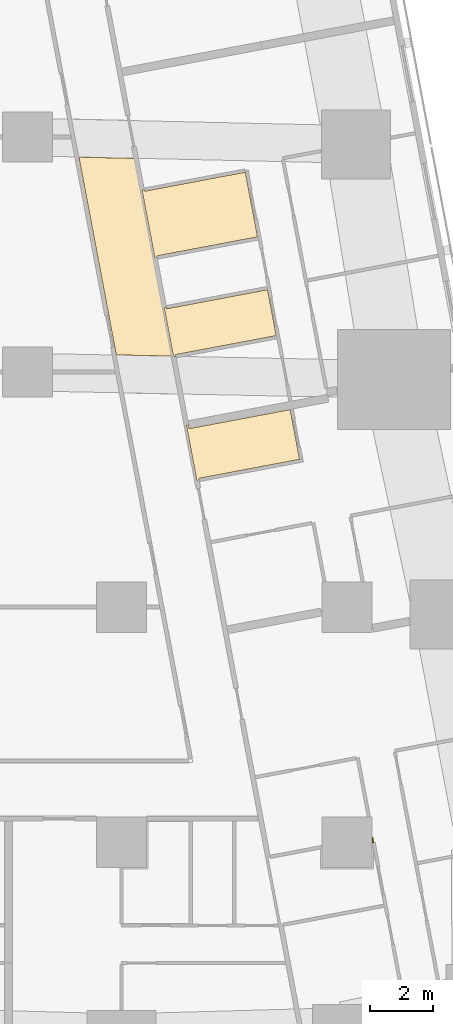
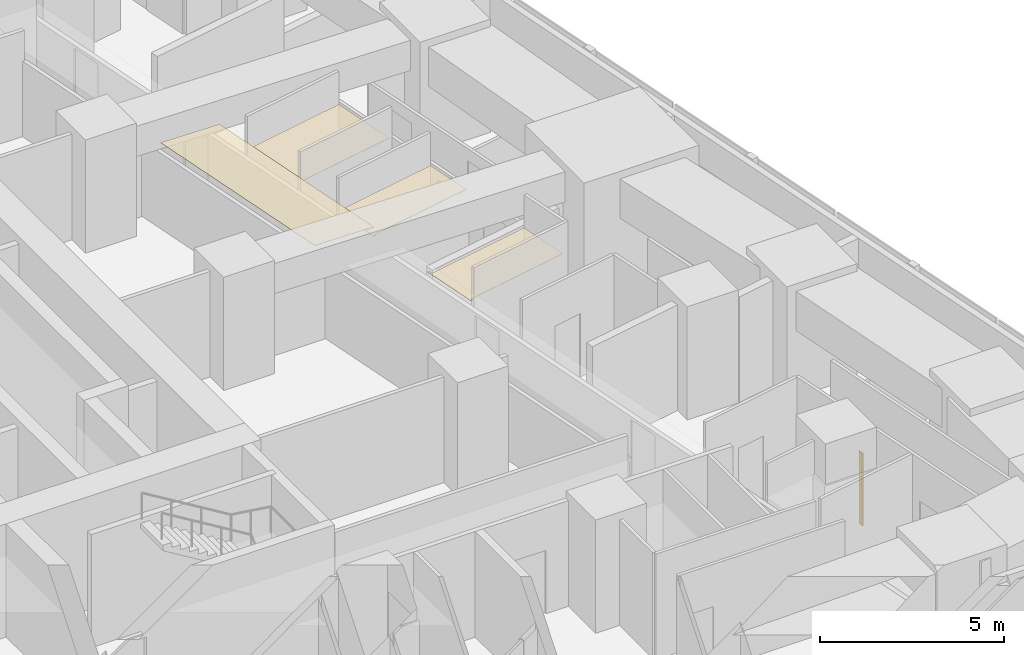
# One storey, part 14 of 15: 5 coverings.
"""IFC4 building model written with IfcOpenShell, lengths in metres."""

import ifcopenshell
import ifcopenshell.guid

model = None  # the IFC model being written
_history = None  # IfcOwnerHistory: only IFC2X3 demands one
_inside = {}  # id of a spatial element -> (the spatial element, [elements in it])
_under = {}  # id of a project, library or spatial element -> (it, [spatial elements below it])
_declared = {}  # id of a project -> (the project, [libraries it declares])
_typed = {}  # id of a type object -> (the type object, [elements of that type])
_made_of = {}  # id of a material, layer set ... -> (it, [elements and type objects made of it])


def new_model(schema):
    """Start an empty IFC model of exactly this schema.

    Asked for "IFC4X3", IfcOpenShell would pick the latest addendum, in which some entities
    have other attributes; the version numbers below select the first issue.
    IFC2X3 requires an IfcOwnerHistory on every rooted entity: one is made here for all.
    """
    global model, _history
    if schema == "IFC4X3":
        model = ifcopenshell.file(schema_version=(4, 3, 0, 0))
    else:
        model = ifcopenshell.file(schema=schema)
    _inside.clear()
    _under.clear()
    _declared.clear()
    _typed.clear()
    _made_of.clear()
    _history = None
    if model.schema == "IFC2X3":
        org = make("IfcOrganization", Name="unknown")
        user = make(
            "IfcPersonAndOrganization",
            ThePerson=make("IfcPerson", FamilyName="unknown"),
            TheOrganization=org,
        )
        app = make(
            "IfcApplication",
            ApplicationDeveloper=org,
            Version="unknown",
            ApplicationFullName="unknown",
            ApplicationIdentifier="unknown",
        )
        _history = make(
            "IfcOwnerHistory",
            OwningUser=user,
            OwningApplication=app,
            ChangeAction="ADDED",
            CreationDate=0,
        )
    return model


def make(cls, **values):
    """One entity of the class cls with the attributes given. An attribute that is None is left unset."""
    return model.create_entity(
        cls, **{name: value for name, value in values.items() if value is not None}
    )


def rooted(cls, **values):
    """An entity with a GlobalId (a new one), such as an element, a storey or a relation."""
    return make(cls, GlobalId=ifcopenshell.guid.new(), OwnerHistory=_history, **values)


def si_unit(unit_type, name, prefix=None):
    """IfcSIUnit, for example si_unit("LENGTHUNIT", "METRE", prefix="MILLI")."""
    return make("IfcSIUnit", UnitType=unit_type, Prefix=prefix, Name=name)


def assignment(units):
    """IfcUnitAssignment: the units of a project."""
    return None if units is None else make("IfcUnitAssignment", Units=units)


def point(xyz):
    """IfcCartesianPoint."""
    return None if xyz is None else make("IfcCartesianPoint", Coordinates=xyz)


def direction(xyz):
    """IfcDirection."""
    return None if xyz is None else make("IfcDirection", DirectionRatios=xyz)


def frame(location, z_axis=None, x_axis=None):
    """IfcAxis2Placement3D, a coordinate frame: its origin and axes. An axis left out is left unset."""
    return make(
        "IfcAxis2Placement3D",
        Location=point(location),
        Axis=direction(z_axis),
        RefDirection=direction(x_axis),
    )


def origin():
    """The frame at (0, 0, 0) with its axes left unset."""
    return frame((0.0, 0.0, 0.0))


def place(relative_to, where):
    """IfcLocalPlacement: puts the frame where relative to a parent placement (None: the world)."""
    return make(
        "IfcLocalPlacement", PlacementRelTo=relative_to, RelativePlacement=where
    )


def context(
    kind, dimensions, precision=None, world=None, true_north=None, identifier=None
):
    """IfcGeometricRepresentationContext, for example the 3D "Model" context."""
    return make(
        "IfcGeometricRepresentationContext",
        ContextIdentifier=identifier,
        ContextType=kind,
        CoordinateSpaceDimension=dimensions,
        Precision=precision,
        WorldCoordinateSystem=world,
        TrueNorth=true_north,
    )


def subcontext(parent, identifier, kind, view, scale=None):
    """IfcGeometricRepresentationSubContext, for example "Body" below "Model"."""
    return make(
        "IfcGeometricRepresentationSubContext",
        ContextIdentifier=identifier,
        ContextType=kind,
        ParentContext=parent,
        TargetScale=scale,
        TargetView=view,
    )


def project(units=None, contexts=None):
    """IfcProject with its units and contexts."""
    return rooted(
        "IfcProject",
        Name="project",
        RepresentationContexts=contexts,
        UnitsInContext=assignment(units),
    )


def spatial(cls, under=None, at=None, **own):
    """A site, building, storey or space (cls), placed at a placement, below another one or the project."""
    s = rooted(cls, ObjectPlacement=at, **own)
    if under is not None:
        _under.setdefault(under.id(), (under, []))[1].append(s)
    return s


def polyline(points):
    """IfcPolyline through the points."""
    return make("IfcPolyline", Points=[point(p) for p in points])


def outline(outer, holes=None, kind="AREA"):
    """IfcArbitraryClosedProfileDef: a profile drawn as a closed curve; with holes, ...WithVoids."""
    if holes is None:
        return make("IfcArbitraryClosedProfileDef", ProfileType=kind, OuterCurve=outer)
    return make(
        "IfcArbitraryProfileDefWithVoids",
        ProfileType=kind,
        OuterCurve=outer,
        InnerCurves=holes,
    )


def extrude(swept, where, along, depth):
    """IfcExtrudedAreaSolid: the profile swept, set in the frame where, extruded along a direction by depth."""
    return make(
        "IfcExtrudedAreaSolid",
        SweptArea=swept,
        Position=where,
        ExtrudedDirection=direction(along),
        Depth=depth,
    )


def shape(context_of_items, identifier, shape_type, items):
    """IfcShapeRepresentation: the items that make up one representation, for example the "Body"."""
    return make(
        "IfcShapeRepresentation",
        ContextOfItems=context_of_items,
        RepresentationIdentifier=identifier,
        RepresentationType=shape_type,
        Items=items,
    )


def material(Name=None, Category=None):
    """IfcMaterial."""
    return make("IfcMaterial", Name=Name, Category=Category)


def layer(
    of_material, thickness, ventilated=None, Name=None, Category=None, Priority=None
):
    """IfcMaterialLayer: one layer of a wall or slab, of a material (None: an air gap)."""
    return make(
        "IfcMaterialLayer",
        Material=of_material,
        LayerThickness=thickness,
        IsVentilated=ventilated,
        Name=Name,
        Category=Category,
        Priority=Priority,
    )


def layer_set(layers, Name=None):
    """IfcMaterialLayerSet."""
    return make("IfcMaterialLayerSet", MaterialLayers=layers, LayerSetName=Name)


def made_of(thing, what):
    """Note that an element or type object is made of a material, layer set ...; save() writes the relation."""
    if what is not None:
        _made_of.setdefault(what.id(), (what, []))[1].append(thing)
    return thing


def type_object(cls, material=None, **own):
    """A type object (cls), such as IfcWallType, which elements share."""
    return made_of(rooted(cls, **own), material)


def element(
    cls,
    number,
    at=None,
    inside=None,
    cuts=None,
    type_object=None,
    material=None,
    context=None,
    identifier="Body",
    shape_type=None,
    held_by="IfcProductDefinitionShape",
    body=None,
    shapes=None,
    **own,
):
    """One element of the class cls, such as IfcWall. Its Tag is "e" and its number.

    at: its placement. inside: the storey or other place that contains it. cuts: it is an
    opening in that element (IfcRelVoidsElement). A single representation is given by context,
    identifier, shape_type and body (its items); several are given by shapes. held_by: the class
    of the entity that holds the representations. save() writes the other relations.
    """
    e = rooted(cls, Tag="e%d" % number, ObjectPlacement=at, **own)
    if body is not None:
        shapes = [shape(context, identifier, shape_type, body)]
    if shapes is not None:
        e.Representation = make(held_by, Representations=shapes)
    if inside is not None:
        _inside.setdefault(inside.id(), (inside, []))[1].append(e)
    if cuts is not None:
        rooted(
            "IfcRelVoidsElement", RelatingBuildingElement=cuts, RelatedOpeningElement=e
        )
    if type_object is not None:
        _typed.setdefault(type_object.id(), (type_object, []))[1].append(e)
    return made_of(e, material)


def aggregate(whole, parts):
    """IfcRelAggregates: a whole, such as a stair, and the parts it consists of."""
    return rooted("IfcRelAggregates", RelatingObject=whole, RelatedObjects=parts)


def save(model, path):
    """Write the relations noted so far, then the file.

    IfcRelAggregates (storeys below a building ...), IfcRelContainedInSpatialStructure (elements
    in a storey), IfcRelDefinesByType, IfcRelAssociatesMaterial and IfcRelDeclares: one each for
    every whole, place, type object, material and project.
    """
    for whole, parts in _under.values():
        aggregate(whole, parts)
    for where, things in _inside.values():
        rooted(
            "IfcRelContainedInSpatialStructure",
            RelatedElements=things,
            RelatingStructure=where,
        )
    for kind, things in _typed.values():
        rooted("IfcRelDefinesByType", RelatedObjects=things, RelatingType=kind)
    for what, things in _made_of.values():
        rooted("IfcRelAssociatesMaterial", RelatedObjects=things, RelatingMaterial=what)
    for by, libraries in _declared.values():
        rooted("IfcRelDeclares", RelatingContext=by, RelatedDefinitions=libraries)
    model.write(path)


model = new_model("IFC4")

# Units and contexts
model_context = context("Model", 3, precision=1e-05, world=origin(), true_north=direction((0.0, 1.0)))
body_context = subcontext(model_context, "Body", "Model", "MODEL_VIEW")
ifc_project = project(units=[si_unit("LENGTHUNIT", "METRE"), si_unit("AREAUNIT", "SQUARE_METRE"), si_unit("VOLUMEUNIT", "CUBIC_METRE"), si_unit("PLANEANGLEUNIT", "RADIAN"), si_unit("MASSUNIT", "GRAM", prefix="KILO")], contexts=[model_context])

# Site, building, storey
site_placement = place(None, origin())
site = spatial("IfcSite", under=ifc_project, at=site_placement, CompositionType="ELEMENT")
building_placement = place(site_placement, origin())
building = spatial("IfcBuilding", under=site, at=building_placement, Name="Sheger Commons Tower", CompositionType="ELEMENT")
storey_placement = place(building_placement, frame((0.0, 0.0, 104.14990234375)))
storey = spatial("IfcBuildingStorey", under=building, at=storey_placement, Name="L26", CompositionType="ELEMENT", Elevation=104.14990234375)

# Coverings
ifc_material_1 = material(Name="Moisture-resistant gypsum plasterboard 15 mm on a suspended galvanised steel grid", Category="steel")
ifc_layer_1 = layer(ifc_material_1, 0.014892578125)
ifc_layer_set_1 = layer_set([ifc_layer_1], Name="MOISTURE-RESISTANT CEILING 15")
covering_type_1 = type_object("IfcCoveringType", Name="MOISTURE-RESISTANT CEILING 15", PredefinedType="CEILING", material=ifc_layer_set_1)
covering_1_placement = place(storey_placement, frame((0.0, 0.0, 2.400146484375)))
element("IfcCovering", 1, at=covering_1_placement, inside=storey, type_object=covering_type_1, Name="L26-09.B1 ceiling", PredefinedType="CEILING", context=body_context, shape_type="SweptSolid", body=[
    extrude(outline(polyline([(37.06689453125, 26.138916015625), (37.135986328125, 26.152099609375), (37.1259765625, 26.2060546875), (40.343017578125, 26.81396484375), (39.952880859375, 28.8779296875), (36.736083984375, 28.26904296875), (36.72607421875, 28.322998046875), (36.656982421875, 28.31005859375), (37.06689453125, 26.138916015625)])), origin(), (0.0, 0.0, 1.0), 0.014892578125),
])
covering_2_placement = place(storey_placement, frame((0.0, 0.0, 2.400146484375)))
element("IfcCovering", 2, at=covering_2_placement, inside=storey, type_object=covering_type_1, Name="L26-09.B2 ceiling", PredefinedType="CEILING", context=body_context, shape_type="SweptSolid", body=[
    extrude(outline(polyline([(37.662109375, 22.989013671875), (37.73095703125, 23.001953125), (37.720947265625, 23.055908203125), (40.93896484375, 23.6630859375), (40.662109375, 25.1279296875), (37.444091796875, 24.52001953125), (37.43408203125, 24.573974609375), (37.364990234375, 24.56103515625), (37.662109375, 22.989013671875)])), origin(), (0.0, 0.0, 1.0), 0.014892578125),
])
covering_3_placement = place(storey_placement, frame((0.0, 0.0, 2.400146484375)))
element("IfcCovering", 3, at=covering_3_placement, inside=storey, type_object=covering_type_1, Name="L26-10.B1 ceiling", PredefinedType="CEILING", context=body_context, shape_type="SweptSolid", body=[
    extrude(outline(polyline([(38.406982421875, 19.0419921875), (38.47607421875, 19.054931640625), (38.466064453125, 19.10888671875), (41.68408203125, 19.716064453125), (41.384033203125, 21.303955078125), (38.166015625, 20.696044921875), (38.14208984375, 20.823974609375), (38.072998046875, 20.81103515625), (38.406982421875, 19.0419921875)])), origin(), (0.0, 0.0, 1.0), 0.014892578125),
])
ifc_material_2 = material(Name="Gypsum plasterboard 15 mm on a suspended steel grid", Category="steel")
ifc_layer_2 = layer(ifc_material_2, 0.014892578125)
ifc_layer_set_2 = layer_set([ifc_layer_2], Name="SUSPENDED CEILING 15")
covering_type_2 = type_object("IfcCoveringType", Name="SUSPENDED CEILING 15", PredefinedType="CEILING", material=ifc_layer_set_2)
covering_4_placement = place(storey_placement, frame((0.0, 0.0, 2.7001953125)))
element("IfcCovering", 4, at=covering_4_placement, inside=storey, type_object=covering_type_2, Name="L26-CO ceiling", PredefinedType="CEILING", context=body_context, shape_type="SweptSolid", body=[
    extrude(outline(polyline([(37.657958984375, 23.010986328125), (36.466064453125, 29.31591796875), (34.64501953125, 29.35791015625), (35.8369140625, 23.048095703125), (37.657958984375, 23.010986328125)])), origin(), (0.0, 0.0, 1.0), 0.014892578125),
])
ifc_material_3 = material(Name="Moisture-resistant gypsum board 12.5 mm on 25 mm treated timber battens, tanked and tiled", Category="wood")
ifc_layer_3 = layer(ifc_material_3, 0.050048828125)
ifc_layer_set_3 = layer_set([ifc_layer_3], Name="WET-ROOM COLUMN LINING")
covering_type_3 = type_object("IfcCoveringType", Name="WET-ROOM COLUMN LINING", PredefinedType="CLADDING", material=ifc_layer_set_3)
covering_5_placement = place(storey_placement, origin())
element("IfcCovering", 5, at=covering_5_placement, inside=storey, type_object=covering_type_3, Name="Bathroom column lining C9 L26", PredefinedType="CLADDING", context=body_context, shape_type="SweptSolid", body=[
    extrude(outline(polyline([(44.0, 7.652099609375), (44.01806640625, 7.655029296875), (44.049072265625, 7.489990234375), (44.0, 7.48095703125), (44.0, 7.652099609375)])), origin(), (0.0, 0.0, 1.0), 2.400146484375),
])

save(model, "model.ifc")
